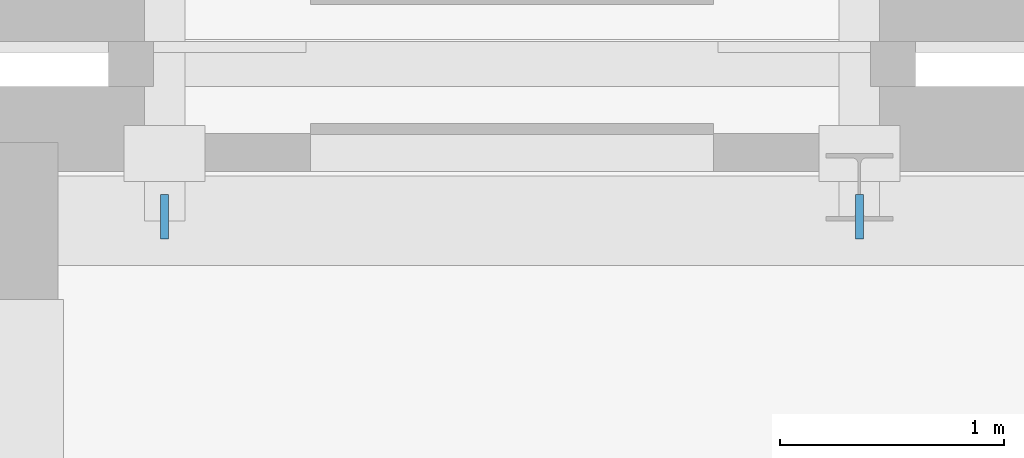
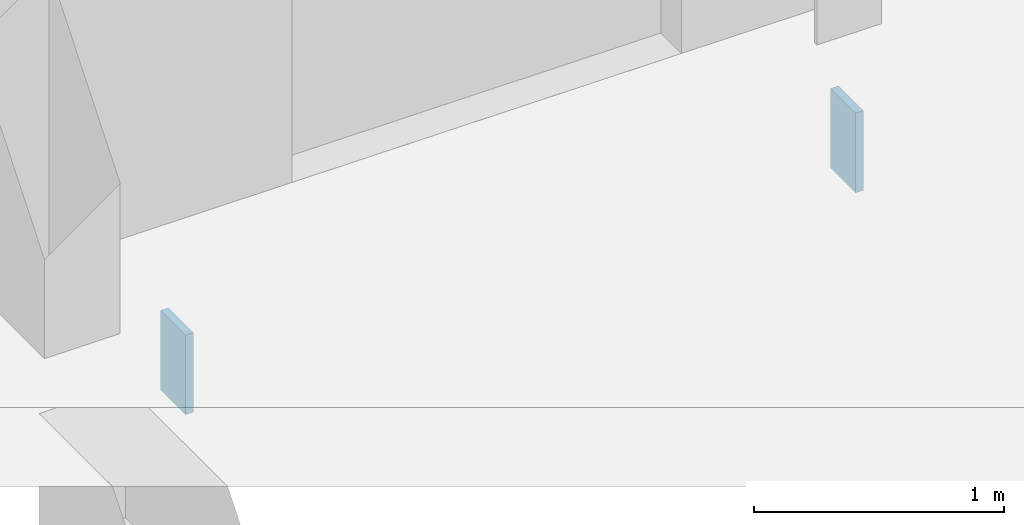
# One storey, part 39 of 84: 2 plates.
"""IFC4 building model written with IfcOpenShell, lengths in metres."""

from ifc_helpers import new_model, si_unit, direction, frame, origin, origin_2d, place, context, subcontext, project, spatial, rectangle, extrude, material, layer, layer_set, type_object, element, save


model = new_model("IFC4")

# Units and contexts
model_context = context("Model", 3, precision=1e-05, world=origin(), true_north=direction((0.0, 1.0)))
body_context = subcontext(model_context, "Body", "Model", "MODEL_VIEW")
ifc_project = project(units=[si_unit("LENGTHUNIT", "METRE"), si_unit("AREAUNIT", "SQUARE_METRE"), si_unit("VOLUMEUNIT", "CUBIC_METRE"), si_unit("PLANEANGLEUNIT", "RADIAN"), si_unit("MASSUNIT", "GRAM", prefix="KILO")], contexts=[model_context])

# Site, building, storey
site_placement = place(None, origin())
site = spatial("IfcSite", under=ifc_project, at=site_placement, CompositionType="ELEMENT")
building_placement = place(site_placement, origin())
building = spatial("IfcBuilding", under=site, at=building_placement, Name="Mzevani Central Library", CompositionType="ELEMENT")
storey_placement = place(building_placement, frame((0.0, 0.0, 5.39990234375)))
storey = spatial("IfcBuildingStorey", under=building, at=storey_placement, Name="L01", CompositionType="ELEMENT", Elevation=5.39990234375)

# Plates
ifc_material = material(Name="Steel S355J2", Category="steel")
ifc_layer = layer(ifc_material, 0.035888671875, Name="Truss Splice Flange Plate 36")
ifc_layer_set = layer_set([ifc_layer], Name="Steel S355J2")
plate_type = type_object("IfcPlateType", Name="Truss Splice Flange Plate 36", PredefinedType="USERDEFINED", material=ifc_layer_set)
for number, where, z_axis, x_axis, name in (
    (1, (122.25, 41.718017578125, -0.7197265625), (0.0, 0.0, 1.0), (0.0, 1.0, 0.0), "Children-Reading Hall Seismic Passage L01 Girder End Cap Plate 1"),
    (2, (125.35009765625, 41.718017578125, -0.7197265625), (0.0, 0.0, 1.0), (0.0, 1.0, 0.0), "Children-Reading Hall Seismic Passage L01 Girder End Cap Plate 2"),
):
    element("IfcPlate", number, at=place(storey_placement, frame(where, z_axis=z_axis, x_axis=x_axis)), inside=storey, type_object=plate_type, Name=name, ObjectType="SPLICE PLATE", PredefinedType="USERDEFINED", context=body_context, shape_type="SweptSolid", body=[
        extrude(rectangle(XDim=0.199951171875, YDim=0.035888671875, at=origin_2d()), origin(), (0.0, 0.0, 1.0), 0.389892578125),
    ])

save(model, "model.ifc")
